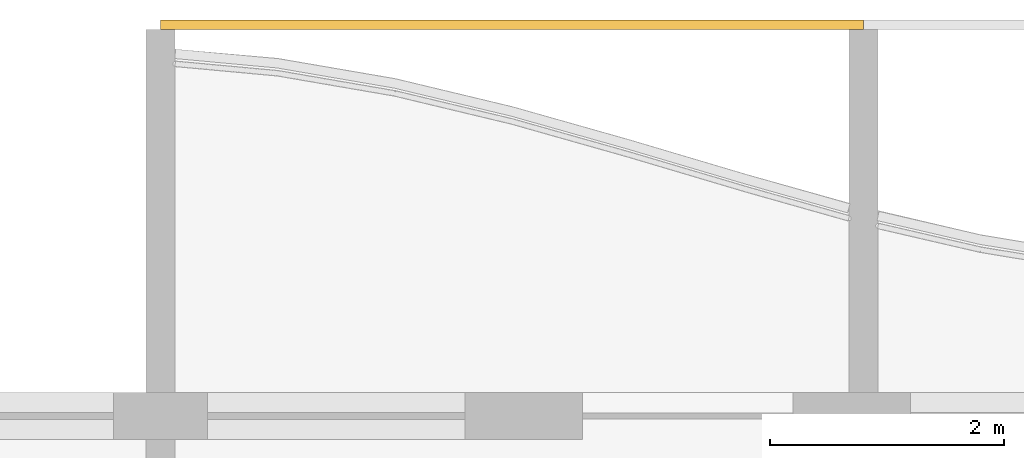
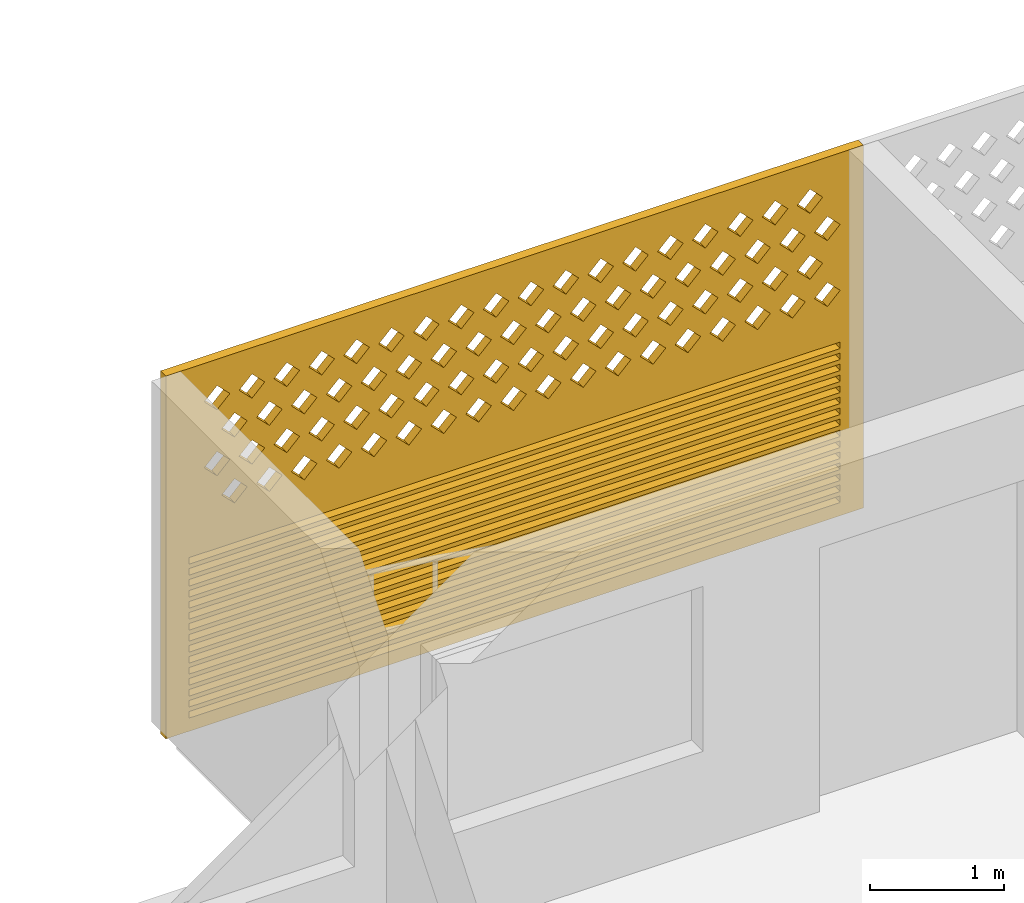
# One storey, part 22 of 26: 1 covering.
"""IFC4 building model written with IfcOpenShell, lengths in metres."""

from ifc_helpers import new_model, si_unit, direction, frame, origin, place, context, subcontext, project, spatial, polyline, outline, extrude, source, transform, mapped, material, material_profile, profile_set, type_object, element, save


model = new_model("IFC4")

# Units and contexts
model_context = context("Model", 3, precision=1e-05, world=origin(), true_north=direction((0.0, 1.0)))
body_context = subcontext(model_context, "Body", "Model", "MODEL_VIEW")
ifc_project = project(units=[si_unit("LENGTHUNIT", "METRE"), si_unit("AREAUNIT", "SQUARE_METRE"), si_unit("VOLUMEUNIT", "CUBIC_METRE"), si_unit("PLANEANGLEUNIT", "RADIAN"), si_unit("MASSUNIT", "GRAM", prefix="KILO")], contexts=[model_context])

# Site, building, storey
site_placement = place(None, origin())
site = spatial("IfcSite", under=ifc_project, at=site_placement, CompositionType="ELEMENT")
building_placement = place(site_placement, origin())
building = spatial("IfcBuilding", under=site, at=building_placement, Name="Poui Terraces", CompositionType="ELEMENT")
storey_placement = place(building_placement, frame((0.0, 0.0, 224.699951171875)))
storey = spatial("IfcBuildingStorey", under=building, at=storey_placement, Name="L62", CompositionType="ELEMENT", Elevation=224.699951171875)

# Covering
ifc_material = material(Name="Terracotta screen", Category="masonry")
ifc_material_profile = material_profile(ifc_material, outline(polyline([(-3.0, -1.64990234375), (3.0, -1.64990234375), (3.0, 1.64990234375), (-3.0, 1.64990234375), (-3.0, -1.64990234375)]), holes=[polyline([(-2.800048828125, 0.39990234375), (-2.68994140625, 0.2900390625), (-2.580078125, 0.39990234375), (-2.68994140625, 0.510009765625), (-2.800048828125, 0.39990234375)]), polyline([(-2.5, 0.39990234375), (-2.389892578125, 0.2900390625), (-2.280029296875, 0.39990234375), (-2.389892578125, 0.510009765625), (-2.5, 0.39990234375)]), polyline([(-2.199951171875, 0.39990234375), (-2.090087890625, 0.2900390625), (-1.97998046875, 0.39990234375), (-2.090087890625, 0.510009765625), (-2.199951171875, 0.39990234375)]), polyline([(-1.89990234375, 0.39990234375), (-1.7900390625, 0.2900390625), (-1.679931640625, 0.39990234375), (-1.7900390625, 0.510009765625), (-1.89990234375, 0.39990234375)]), polyline([(-1.60009765625, 0.39990234375), (-1.489990234375, 0.2900390625), (-1.3798828125, 0.39990234375), (-1.489990234375, 0.510009765625), (-1.60009765625, 0.39990234375)]), polyline([(-1.300048828125, 0.39990234375), (-1.18994140625, 0.2900390625), (-1.080078125, 0.39990234375), (-1.18994140625, 0.510009765625), (-1.300048828125, 0.39990234375)]), polyline([(-1.0, 0.39990234375), (-0.889892578125, 0.2900390625), (-0.780029296875, 0.39990234375), (-0.889892578125, 0.510009765625), (-1.0, 0.39990234375)]), polyline([(-0.699951171875, 0.39990234375), (-0.590087890625, 0.2900390625), (-0.47998046875, 0.39990234375), (-0.590087890625, 0.510009765625), (-0.699951171875, 0.39990234375)]), polyline([(-0.39990234375, 0.39990234375), (-0.2900390625, 0.2900390625), (-0.179931640625, 0.39990234375), (-0.2900390625, 0.510009765625), (-0.39990234375, 0.39990234375)]), polyline([(-0.10009765625, 0.39990234375), (0.010009765625, 0.2900390625), (0.1201171875, 0.39990234375), (0.010009765625, 0.510009765625), (-0.10009765625, 0.39990234375)]), polyline([(0.199951171875, 0.39990234375), (0.31005859375, 0.2900390625), (0.419921875, 0.39990234375), (0.31005859375, 0.510009765625), (0.199951171875, 0.39990234375)]), polyline([(0.5, 0.39990234375), (0.610107421875, 0.2900390625), (0.719970703125, 0.39990234375), (0.610107421875, 0.510009765625), (0.5, 0.39990234375)]), polyline([(0.800048828125, 0.39990234375), (0.909912109375, 0.2900390625), (1.02001953125, 0.39990234375), (0.909912109375, 0.510009765625), (0.800048828125, 0.39990234375)]), polyline([(1.10009765625, 0.39990234375), (1.2099609375, 0.2900390625), (1.320068359375, 0.39990234375), (1.2099609375, 0.510009765625), (1.10009765625, 0.39990234375)]), polyline([(1.39990234375, 0.39990234375), (1.510009765625, 0.2900390625), (1.6201171875, 0.39990234375), (1.510009765625, 0.510009765625), (1.39990234375, 0.39990234375)]), polyline([(1.699951171875, 0.39990234375), (1.81005859375, 0.2900390625), (1.919921875, 0.39990234375), (1.81005859375, 0.510009765625), (1.699951171875, 0.39990234375)]), polyline([(2.0, 0.39990234375), (2.110107421875, 0.2900390625), (2.219970703125, 0.39990234375), (2.110107421875, 0.510009765625), (2.0, 0.39990234375)]), polyline([(2.300048828125, 0.39990234375), (2.409912109375, 0.2900390625), (2.52001953125, 0.39990234375), (2.409912109375, 0.510009765625), (2.300048828125, 0.39990234375)]), polyline([(-2.64990234375, 0.699951171875), (-2.5400390625, 0.590087890625), (-2.429931640625, 0.699951171875), (-2.5400390625, 0.81005859375), (-2.64990234375, 0.699951171875)]), polyline([(-2.35009765625, 0.699951171875), (-2.239990234375, 0.590087890625), (-2.1298828125, 0.699951171875), (-2.239990234375, 0.81005859375), (-2.35009765625, 0.699951171875)]), polyline([(-2.050048828125, 0.699951171875), (-1.93994140625, 0.590087890625), (-1.830078125, 0.699951171875), (-1.93994140625, 0.81005859375), (-2.050048828125, 0.699951171875)]), polyline([(-1.75, 0.699951171875), (-1.639892578125, 0.590087890625), (-1.530029296875, 0.699951171875), (-1.639892578125, 0.81005859375), (-1.75, 0.699951171875)]), polyline([(-1.449951171875, 0.699951171875), (-1.340087890625, 0.590087890625), (-1.22998046875, 0.699951171875), (-1.340087890625, 0.81005859375), (-1.449951171875, 0.699951171875)]), polyline([(-1.14990234375, 0.699951171875), (-1.0400390625, 0.590087890625), (-0.929931640625, 0.699951171875), (-1.0400390625, 0.81005859375), (-1.14990234375, 0.699951171875)]), polyline([(-0.85009765625, 0.699951171875), (-0.739990234375, 0.590087890625), (-0.6298828125, 0.699951171875), (-0.739990234375, 0.81005859375), (-0.85009765625, 0.699951171875)]), polyline([(-0.550048828125, 0.699951171875), (-0.43994140625, 0.590087890625), (-0.330078125, 0.699951171875), (-0.43994140625, 0.81005859375), (-0.550048828125, 0.699951171875)]), polyline([(-0.25, 0.699951171875), (-0.139892578125, 0.590087890625), (-0.030029296875, 0.699951171875), (-0.139892578125, 0.81005859375), (-0.25, 0.699951171875)]), polyline([(0.050048828125, 0.699951171875), (0.159912109375, 0.590087890625), (0.27001953125, 0.699951171875), (0.159912109375, 0.81005859375), (0.050048828125, 0.699951171875)]), polyline([(0.35009765625, 0.699951171875), (0.4599609375, 0.590087890625), (0.570068359375, 0.699951171875), (0.4599609375, 0.81005859375), (0.35009765625, 0.699951171875)]), polyline([(0.64990234375, 0.699951171875), (0.760009765625, 0.590087890625), (0.8701171875, 0.699951171875), (0.760009765625, 0.81005859375), (0.64990234375, 0.699951171875)]), polyline([(0.949951171875, 0.699951171875), (1.06005859375, 0.590087890625), (1.169921875, 0.699951171875), (1.06005859375, 0.81005859375), (0.949951171875, 0.699951171875)]), polyline([(1.25, 0.699951171875), (1.360107421875, 0.590087890625), (1.469970703125, 0.699951171875), (1.360107421875, 0.81005859375), (1.25, 0.699951171875)]), polyline([(1.550048828125, 0.699951171875), (1.659912109375, 0.590087890625), (1.77001953125, 0.699951171875), (1.659912109375, 0.81005859375), (1.550048828125, 0.699951171875)]), polyline([(1.85009765625, 0.699951171875), (1.9599609375, 0.590087890625), (2.070068359375, 0.699951171875), (1.9599609375, 0.81005859375), (1.85009765625, 0.699951171875)]), polyline([(2.14990234375, 0.699951171875), (2.260009765625, 0.590087890625), (2.3701171875, 0.699951171875), (2.260009765625, 0.81005859375), (2.14990234375, 0.699951171875)]), polyline([(2.449951171875, 0.699951171875), (2.56005859375, 0.590087890625), (2.669921875, 0.699951171875), (2.56005859375, 0.81005859375), (2.449951171875, 0.699951171875)]), polyline([(-2.800048828125, 1.0), (-2.68994140625, 0.889892578125), (-2.580078125, 1.0), (-2.68994140625, 1.110107421875), (-2.800048828125, 1.0)]), polyline([(-2.5, 1.0), (-2.389892578125, 0.889892578125), (-2.280029296875, 1.0), (-2.389892578125, 1.110107421875), (-2.5, 1.0)]), polyline([(-2.199951171875, 1.0), (-2.090087890625, 0.889892578125), (-1.97998046875, 1.0), (-2.090087890625, 1.110107421875), (-2.199951171875, 1.0)]), polyline([(-1.89990234375, 1.0), (-1.7900390625, 0.889892578125), (-1.679931640625, 1.0), (-1.7900390625, 1.110107421875), (-1.89990234375, 1.0)]), polyline([(-1.60009765625, 1.0), (-1.489990234375, 0.889892578125), (-1.3798828125, 1.0), (-1.489990234375, 1.110107421875), (-1.60009765625, 1.0)]), polyline([(-1.300048828125, 1.0), (-1.18994140625, 0.889892578125), (-1.080078125, 1.0), (-1.18994140625, 1.110107421875), (-1.300048828125, 1.0)]), polyline([(-1.0, 1.0), (-0.889892578125, 0.889892578125), (-0.780029296875, 1.0), (-0.889892578125, 1.110107421875), (-1.0, 1.0)]), polyline([(-0.699951171875, 1.0), (-0.590087890625, 0.889892578125), (-0.47998046875, 1.0), (-0.590087890625, 1.110107421875), (-0.699951171875, 1.0)]), polyline([(-0.39990234375, 1.0), (-0.2900390625, 0.889892578125), (-0.179931640625, 1.0), (-0.2900390625, 1.110107421875), (-0.39990234375, 1.0)]), polyline([(-0.10009765625, 1.0), (0.010009765625, 0.889892578125), (0.1201171875, 1.0), (0.010009765625, 1.110107421875), (-0.10009765625, 1.0)]), polyline([(0.199951171875, 1.0), (0.31005859375, 0.889892578125), (0.419921875, 1.0), (0.31005859375, 1.110107421875), (0.199951171875, 1.0)]), polyline([(0.5, 1.0), (0.610107421875, 0.889892578125), (0.719970703125, 1.0), (0.610107421875, 1.110107421875), (0.5, 1.0)]), polyline([(0.800048828125, 1.0), (0.909912109375, 0.889892578125), (1.02001953125, 1.0), (0.909912109375, 1.110107421875), (0.800048828125, 1.0)]), polyline([(1.10009765625, 1.0), (1.2099609375, 0.889892578125), (1.320068359375, 1.0), (1.2099609375, 1.110107421875), (1.10009765625, 1.0)]), polyline([(1.39990234375, 1.0), (1.510009765625, 0.889892578125), (1.6201171875, 1.0), (1.510009765625, 1.110107421875), (1.39990234375, 1.0)]), polyline([(1.699951171875, 1.0), (1.81005859375, 0.889892578125), (1.919921875, 1.0), (1.81005859375, 1.110107421875), (1.699951171875, 1.0)]), polyline([(2.0, 1.0), (2.110107421875, 0.889892578125), (2.219970703125, 1.0), (2.110107421875, 1.110107421875), (2.0, 1.0)]), polyline([(2.300048828125, 1.0), (2.409912109375, 0.889892578125), (2.52001953125, 1.0), (2.409912109375, 1.110107421875), (2.300048828125, 1.0)]), polyline([(-2.64990234375, 1.300048828125), (-2.5400390625, 1.18994140625), (-2.429931640625, 1.300048828125), (-2.5400390625, 1.409912109375), (-2.64990234375, 1.300048828125)]), polyline([(-2.35009765625, 1.300048828125), (-2.239990234375, 1.18994140625), (-2.1298828125, 1.300048828125), (-2.239990234375, 1.409912109375), (-2.35009765625, 1.300048828125)]), polyline([(-2.050048828125, 1.300048828125), (-1.93994140625, 1.18994140625), (-1.830078125, 1.300048828125), (-1.93994140625, 1.409912109375), (-2.050048828125, 1.300048828125)]), polyline([(-1.75, 1.300048828125), (-1.639892578125, 1.18994140625), (-1.530029296875, 1.300048828125), (-1.639892578125, 1.409912109375), (-1.75, 1.300048828125)]), polyline([(-1.449951171875, 1.300048828125), (-1.340087890625, 1.18994140625), (-1.22998046875, 1.300048828125), (-1.340087890625, 1.409912109375), (-1.449951171875, 1.300048828125)]), polyline([(-1.14990234375, 1.300048828125), (-1.0400390625, 1.18994140625), (-0.929931640625, 1.300048828125), (-1.0400390625, 1.409912109375), (-1.14990234375, 1.300048828125)]), polyline([(-0.85009765625, 1.300048828125), (-0.739990234375, 1.18994140625), (-0.6298828125, 1.300048828125), (-0.739990234375, 1.409912109375), (-0.85009765625, 1.300048828125)]), polyline([(-0.550048828125, 1.300048828125), (-0.43994140625, 1.18994140625), (-0.330078125, 1.300048828125), (-0.43994140625, 1.409912109375), (-0.550048828125, 1.300048828125)]), polyline([(-0.25, 1.300048828125), (-0.139892578125, 1.18994140625), (-0.030029296875, 1.300048828125), (-0.139892578125, 1.409912109375), (-0.25, 1.300048828125)]), polyline([(0.050048828125, 1.300048828125), (0.159912109375, 1.18994140625), (0.27001953125, 1.300048828125), (0.159912109375, 1.409912109375), (0.050048828125, 1.300048828125)]), polyline([(0.35009765625, 1.300048828125), (0.4599609375, 1.18994140625), (0.570068359375, 1.300048828125), (0.4599609375, 1.409912109375), (0.35009765625, 1.300048828125)]), polyline([(0.64990234375, 1.300048828125), (0.760009765625, 1.18994140625), (0.8701171875, 1.300048828125), (0.760009765625, 1.409912109375), (0.64990234375, 1.300048828125)]), polyline([(0.949951171875, 1.300048828125), (1.06005859375, 1.18994140625), (1.169921875, 1.300048828125), (1.06005859375, 1.409912109375), (0.949951171875, 1.300048828125)]), polyline([(1.25, 1.300048828125), (1.360107421875, 1.18994140625), (1.469970703125, 1.300048828125), (1.360107421875, 1.409912109375), (1.25, 1.300048828125)]), polyline([(1.550048828125, 1.300048828125), (1.659912109375, 1.18994140625), (1.77001953125, 1.300048828125), (1.659912109375, 1.409912109375), (1.550048828125, 1.300048828125)]), polyline([(1.85009765625, 1.300048828125), (1.9599609375, 1.18994140625), (2.070068359375, 1.300048828125), (1.9599609375, 1.409912109375), (1.85009765625, 1.300048828125)]), polyline([(2.14990234375, 1.300048828125), (2.260009765625, 1.18994140625), (2.3701171875, 1.300048828125), (2.260009765625, 1.409912109375), (2.14990234375, 1.300048828125)]), polyline([(2.449951171875, 1.300048828125), (2.56005859375, 1.18994140625), (2.669921875, 1.300048828125), (2.56005859375, 1.409912109375), (2.449951171875, 1.300048828125)]), polyline([(-2.800048828125, -1.530029296875), (2.800048828125, -1.530029296875), (2.800048828125, -1.469970703125), (-2.800048828125, -1.469970703125), (-2.800048828125, -1.530029296875)]), polyline([(-2.800048828125, -1.429931640625), (2.800048828125, -1.429931640625), (2.800048828125, -1.3701171875), (-2.800048828125, -1.3701171875), (-2.800048828125, -1.429931640625)]), polyline([(-2.800048828125, -1.330078125), (2.800048828125, -1.330078125), (2.800048828125, -1.27001953125), (-2.800048828125, -1.27001953125), (-2.800048828125, -1.330078125)]), polyline([(-2.800048828125, -1.22998046875), (2.800048828125, -1.22998046875), (2.800048828125, -1.169921875), (-2.800048828125, -1.169921875), (-2.800048828125, -1.22998046875)]), polyline([(-2.800048828125, -1.1298828125), (2.800048828125, -1.1298828125), (2.800048828125, -1.070068359375), (-2.800048828125, -1.070068359375), (-2.800048828125, -1.1298828125)]), polyline([(-2.800048828125, -1.030029296875), (2.800048828125, -1.030029296875), (2.800048828125, -0.969970703125), (-2.800048828125, -0.969970703125), (-2.800048828125, -1.030029296875)]), polyline([(-2.800048828125, -0.929931640625), (2.800048828125, -0.929931640625), (2.800048828125, -0.8701171875), (-2.800048828125, -0.8701171875), (-2.800048828125, -0.929931640625)]), polyline([(-2.800048828125, -0.830078125), (2.800048828125, -0.830078125), (2.800048828125, -0.77001953125), (-2.800048828125, -0.77001953125), (-2.800048828125, -0.830078125)]), polyline([(-2.800048828125, -0.72998046875), (2.800048828125, -0.72998046875), (2.800048828125, -0.669921875), (-2.800048828125, -0.669921875), (-2.800048828125, -0.72998046875)]), polyline([(-2.800048828125, -0.6298828125), (2.800048828125, -0.6298828125), (2.800048828125, -0.570068359375), (-2.800048828125, -0.570068359375), (-2.800048828125, -0.6298828125)]), polyline([(-2.800048828125, -0.530029296875), (2.800048828125, -0.530029296875), (2.800048828125, -0.469970703125), (-2.800048828125, -0.469970703125), (-2.800048828125, -0.530029296875)]), polyline([(-2.800048828125, -0.429931640625), (2.800048828125, -0.429931640625), (2.800048828125, -0.3701171875), (-2.800048828125, -0.3701171875), (-2.800048828125, -0.429931640625)]), polyline([(-2.800048828125, -0.330078125), (2.800048828125, -0.330078125), (2.800048828125, -0.27001953125), (-2.800048828125, -0.27001953125), (-2.800048828125, -0.330078125)]), polyline([(-2.800048828125, -0.22998046875), (2.800048828125, -0.22998046875), (2.800048828125, -0.169921875), (-2.800048828125, -0.169921875), (-2.800048828125, -0.22998046875)]), polyline([(-2.800048828125, -0.1298828125), (2.800048828125, -0.1298828125), (2.800048828125, -0.070068359375), (-2.800048828125, -0.070068359375), (-2.800048828125, -0.1298828125)])]), Name="TERRACOTTA SCREEN AND JALOUSIE LOUVRE 6000X3300")
ifc_profile_set = profile_set([ifc_material_profile], Name="Terracotta screen")
covering_type = type_object("IfcCoveringType", Name="TERRACOTTA SCREEN AND JALOUSIE LOUVRE 6000X3300", PredefinedType="CLADDING", material=ifc_profile_set)
shared_shape = source(origin(), body_context, "Body", "SweptSolid", [
    extrude(outline(polyline([(-3.0, -1.64990234375), (3.0, -1.64990234375), (3.0, 1.64990234375), (-3.0, 1.64990234375), (-3.0, -1.64990234375)]), holes=[polyline([(-2.800048828125, 0.39990234375), (-2.68994140625, 0.2900390625), (-2.580078125, 0.39990234375), (-2.68994140625, 0.510009765625), (-2.800048828125, 0.39990234375)]), polyline([(-2.5, 0.39990234375), (-2.389892578125, 0.2900390625), (-2.280029296875, 0.39990234375), (-2.389892578125, 0.510009765625), (-2.5, 0.39990234375)]), polyline([(-2.199951171875, 0.39990234375), (-2.090087890625, 0.2900390625), (-1.97998046875, 0.39990234375), (-2.090087890625, 0.510009765625), (-2.199951171875, 0.39990234375)]), polyline([(-1.89990234375, 0.39990234375), (-1.7900390625, 0.2900390625), (-1.679931640625, 0.39990234375), (-1.7900390625, 0.510009765625), (-1.89990234375, 0.39990234375)]), polyline([(-1.60009765625, 0.39990234375), (-1.489990234375, 0.2900390625), (-1.3798828125, 0.39990234375), (-1.489990234375, 0.510009765625), (-1.60009765625, 0.39990234375)]), polyline([(-1.300048828125, 0.39990234375), (-1.18994140625, 0.2900390625), (-1.080078125, 0.39990234375), (-1.18994140625, 0.510009765625), (-1.300048828125, 0.39990234375)]), polyline([(-1.0, 0.39990234375), (-0.889892578125, 0.2900390625), (-0.780029296875, 0.39990234375), (-0.889892578125, 0.510009765625), (-1.0, 0.39990234375)]), polyline([(-0.699951171875, 0.39990234375), (-0.590087890625, 0.2900390625), (-0.47998046875, 0.39990234375), (-0.590087890625, 0.510009765625), (-0.699951171875, 0.39990234375)]), polyline([(-0.39990234375, 0.39990234375), (-0.2900390625, 0.2900390625), (-0.179931640625, 0.39990234375), (-0.2900390625, 0.510009765625), (-0.39990234375, 0.39990234375)]), polyline([(-0.10009765625, 0.39990234375), (0.010009765625, 0.2900390625), (0.1201171875, 0.39990234375), (0.010009765625, 0.510009765625), (-0.10009765625, 0.39990234375)]), polyline([(0.199951171875, 0.39990234375), (0.31005859375, 0.2900390625), (0.419921875, 0.39990234375), (0.31005859375, 0.510009765625), (0.199951171875, 0.39990234375)]), polyline([(0.5, 0.39990234375), (0.610107421875, 0.2900390625), (0.719970703125, 0.39990234375), (0.610107421875, 0.510009765625), (0.5, 0.39990234375)]), polyline([(0.800048828125, 0.39990234375), (0.909912109375, 0.2900390625), (1.02001953125, 0.39990234375), (0.909912109375, 0.510009765625), (0.800048828125, 0.39990234375)]), polyline([(1.10009765625, 0.39990234375), (1.2099609375, 0.2900390625), (1.320068359375, 0.39990234375), (1.2099609375, 0.510009765625), (1.10009765625, 0.39990234375)]), polyline([(1.39990234375, 0.39990234375), (1.510009765625, 0.2900390625), (1.6201171875, 0.39990234375), (1.510009765625, 0.510009765625), (1.39990234375, 0.39990234375)]), polyline([(1.699951171875, 0.39990234375), (1.81005859375, 0.2900390625), (1.919921875, 0.39990234375), (1.81005859375, 0.510009765625), (1.699951171875, 0.39990234375)]), polyline([(2.0, 0.39990234375), (2.110107421875, 0.2900390625), (2.219970703125, 0.39990234375), (2.110107421875, 0.510009765625), (2.0, 0.39990234375)]), polyline([(2.300048828125, 0.39990234375), (2.409912109375, 0.2900390625), (2.52001953125, 0.39990234375), (2.409912109375, 0.510009765625), (2.300048828125, 0.39990234375)]), polyline([(-2.64990234375, 0.699951171875), (-2.5400390625, 0.590087890625), (-2.429931640625, 0.699951171875), (-2.5400390625, 0.81005859375), (-2.64990234375, 0.699951171875)]), polyline([(-2.35009765625, 0.699951171875), (-2.239990234375, 0.590087890625), (-2.1298828125, 0.699951171875), (-2.239990234375, 0.81005859375), (-2.35009765625, 0.699951171875)]), polyline([(-2.050048828125, 0.699951171875), (-1.93994140625, 0.590087890625), (-1.830078125, 0.699951171875), (-1.93994140625, 0.81005859375), (-2.050048828125, 0.699951171875)]), polyline([(-1.75, 0.699951171875), (-1.639892578125, 0.590087890625), (-1.530029296875, 0.699951171875), (-1.639892578125, 0.81005859375), (-1.75, 0.699951171875)]), polyline([(-1.449951171875, 0.699951171875), (-1.340087890625, 0.590087890625), (-1.22998046875, 0.699951171875), (-1.340087890625, 0.81005859375), (-1.449951171875, 0.699951171875)]), polyline([(-1.14990234375, 0.699951171875), (-1.0400390625, 0.590087890625), (-0.929931640625, 0.699951171875), (-1.0400390625, 0.81005859375), (-1.14990234375, 0.699951171875)]), polyline([(-0.85009765625, 0.699951171875), (-0.739990234375, 0.590087890625), (-0.6298828125, 0.699951171875), (-0.739990234375, 0.81005859375), (-0.85009765625, 0.699951171875)]), polyline([(-0.550048828125, 0.699951171875), (-0.43994140625, 0.590087890625), (-0.330078125, 0.699951171875), (-0.43994140625, 0.81005859375), (-0.550048828125, 0.699951171875)]), polyline([(-0.25, 0.699951171875), (-0.139892578125, 0.590087890625), (-0.030029296875, 0.699951171875), (-0.139892578125, 0.81005859375), (-0.25, 0.699951171875)]), polyline([(0.050048828125, 0.699951171875), (0.159912109375, 0.590087890625), (0.27001953125, 0.699951171875), (0.159912109375, 0.81005859375), (0.050048828125, 0.699951171875)]), polyline([(0.35009765625, 0.699951171875), (0.4599609375, 0.590087890625), (0.570068359375, 0.699951171875), (0.4599609375, 0.81005859375), (0.35009765625, 0.699951171875)]), polyline([(0.64990234375, 0.699951171875), (0.760009765625, 0.590087890625), (0.8701171875, 0.699951171875), (0.760009765625, 0.81005859375), (0.64990234375, 0.699951171875)]), polyline([(0.949951171875, 0.699951171875), (1.06005859375, 0.590087890625), (1.169921875, 0.699951171875), (1.06005859375, 0.81005859375), (0.949951171875, 0.699951171875)]), polyline([(1.25, 0.699951171875), (1.360107421875, 0.590087890625), (1.469970703125, 0.699951171875), (1.360107421875, 0.81005859375), (1.25, 0.699951171875)]), polyline([(1.550048828125, 0.699951171875), (1.659912109375, 0.590087890625), (1.77001953125, 0.699951171875), (1.659912109375, 0.81005859375), (1.550048828125, 0.699951171875)]), polyline([(1.85009765625, 0.699951171875), (1.9599609375, 0.590087890625), (2.070068359375, 0.699951171875), (1.9599609375, 0.81005859375), (1.85009765625, 0.699951171875)]), polyline([(2.14990234375, 0.699951171875), (2.260009765625, 0.590087890625), (2.3701171875, 0.699951171875), (2.260009765625, 0.81005859375), (2.14990234375, 0.699951171875)]), polyline([(2.449951171875, 0.699951171875), (2.56005859375, 0.590087890625), (2.669921875, 0.699951171875), (2.56005859375, 0.81005859375), (2.449951171875, 0.699951171875)]), polyline([(-2.800048828125, 1.0), (-2.68994140625, 0.889892578125), (-2.580078125, 1.0), (-2.68994140625, 1.110107421875), (-2.800048828125, 1.0)]), polyline([(-2.5, 1.0), (-2.389892578125, 0.889892578125), (-2.280029296875, 1.0), (-2.389892578125, 1.110107421875), (-2.5, 1.0)]), polyline([(-2.199951171875, 1.0), (-2.090087890625, 0.889892578125), (-1.97998046875, 1.0), (-2.090087890625, 1.110107421875), (-2.199951171875, 1.0)]), polyline([(-1.89990234375, 1.0), (-1.7900390625, 0.889892578125), (-1.679931640625, 1.0), (-1.7900390625, 1.110107421875), (-1.89990234375, 1.0)]), polyline([(-1.60009765625, 1.0), (-1.489990234375, 0.889892578125), (-1.3798828125, 1.0), (-1.489990234375, 1.110107421875), (-1.60009765625, 1.0)]), polyline([(-1.300048828125, 1.0), (-1.18994140625, 0.889892578125), (-1.080078125, 1.0), (-1.18994140625, 1.110107421875), (-1.300048828125, 1.0)]), polyline([(-1.0, 1.0), (-0.889892578125, 0.889892578125), (-0.780029296875, 1.0), (-0.889892578125, 1.110107421875), (-1.0, 1.0)]), polyline([(-0.699951171875, 1.0), (-0.590087890625, 0.889892578125), (-0.47998046875, 1.0), (-0.590087890625, 1.110107421875), (-0.699951171875, 1.0)]), polyline([(-0.39990234375, 1.0), (-0.2900390625, 0.889892578125), (-0.179931640625, 1.0), (-0.2900390625, 1.110107421875), (-0.39990234375, 1.0)]), polyline([(-0.10009765625, 1.0), (0.010009765625, 0.889892578125), (0.1201171875, 1.0), (0.010009765625, 1.110107421875), (-0.10009765625, 1.0)]), polyline([(0.199951171875, 1.0), (0.31005859375, 0.889892578125), (0.419921875, 1.0), (0.31005859375, 1.110107421875), (0.199951171875, 1.0)]), polyline([(0.5, 1.0), (0.610107421875, 0.889892578125), (0.719970703125, 1.0), (0.610107421875, 1.110107421875), (0.5, 1.0)]), polyline([(0.800048828125, 1.0), (0.909912109375, 0.889892578125), (1.02001953125, 1.0), (0.909912109375, 1.110107421875), (0.800048828125, 1.0)]), polyline([(1.10009765625, 1.0), (1.2099609375, 0.889892578125), (1.320068359375, 1.0), (1.2099609375, 1.110107421875), (1.10009765625, 1.0)]), polyline([(1.39990234375, 1.0), (1.510009765625, 0.889892578125), (1.6201171875, 1.0), (1.510009765625, 1.110107421875), (1.39990234375, 1.0)]), polyline([(1.699951171875, 1.0), (1.81005859375, 0.889892578125), (1.919921875, 1.0), (1.81005859375, 1.110107421875), (1.699951171875, 1.0)]), polyline([(2.0, 1.0), (2.110107421875, 0.889892578125), (2.219970703125, 1.0), (2.110107421875, 1.110107421875), (2.0, 1.0)]), polyline([(2.300048828125, 1.0), (2.409912109375, 0.889892578125), (2.52001953125, 1.0), (2.409912109375, 1.110107421875), (2.300048828125, 1.0)]), polyline([(-2.64990234375, 1.300048828125), (-2.5400390625, 1.18994140625), (-2.429931640625, 1.300048828125), (-2.5400390625, 1.409912109375), (-2.64990234375, 1.300048828125)]), polyline([(-2.35009765625, 1.300048828125), (-2.239990234375, 1.18994140625), (-2.1298828125, 1.300048828125), (-2.239990234375, 1.409912109375), (-2.35009765625, 1.300048828125)]), polyline([(-2.050048828125, 1.300048828125), (-1.93994140625, 1.18994140625), (-1.830078125, 1.300048828125), (-1.93994140625, 1.409912109375), (-2.050048828125, 1.300048828125)]), polyline([(-1.75, 1.300048828125), (-1.639892578125, 1.18994140625), (-1.530029296875, 1.300048828125), (-1.639892578125, 1.409912109375), (-1.75, 1.300048828125)]), polyline([(-1.449951171875, 1.300048828125), (-1.340087890625, 1.18994140625), (-1.22998046875, 1.300048828125), (-1.340087890625, 1.409912109375), (-1.449951171875, 1.300048828125)]), polyline([(-1.14990234375, 1.300048828125), (-1.0400390625, 1.18994140625), (-0.929931640625, 1.300048828125), (-1.0400390625, 1.409912109375), (-1.14990234375, 1.300048828125)]), polyline([(-0.85009765625, 1.300048828125), (-0.739990234375, 1.18994140625), (-0.6298828125, 1.300048828125), (-0.739990234375, 1.409912109375), (-0.85009765625, 1.300048828125)]), polyline([(-0.550048828125, 1.300048828125), (-0.43994140625, 1.18994140625), (-0.330078125, 1.300048828125), (-0.43994140625, 1.409912109375), (-0.550048828125, 1.300048828125)]), polyline([(-0.25, 1.300048828125), (-0.139892578125, 1.18994140625), (-0.030029296875, 1.300048828125), (-0.139892578125, 1.409912109375), (-0.25, 1.300048828125)]), polyline([(0.050048828125, 1.300048828125), (0.159912109375, 1.18994140625), (0.27001953125, 1.300048828125), (0.159912109375, 1.409912109375), (0.050048828125, 1.300048828125)]), polyline([(0.35009765625, 1.300048828125), (0.4599609375, 1.18994140625), (0.570068359375, 1.300048828125), (0.4599609375, 1.409912109375), (0.35009765625, 1.300048828125)]), polyline([(0.64990234375, 1.300048828125), (0.760009765625, 1.18994140625), (0.8701171875, 1.300048828125), (0.760009765625, 1.409912109375), (0.64990234375, 1.300048828125)]), polyline([(0.949951171875, 1.300048828125), (1.06005859375, 1.18994140625), (1.169921875, 1.300048828125), (1.06005859375, 1.409912109375), (0.949951171875, 1.300048828125)]), polyline([(1.25, 1.300048828125), (1.360107421875, 1.18994140625), (1.469970703125, 1.300048828125), (1.360107421875, 1.409912109375), (1.25, 1.300048828125)]), polyline([(1.550048828125, 1.300048828125), (1.659912109375, 1.18994140625), (1.77001953125, 1.300048828125), (1.659912109375, 1.409912109375), (1.550048828125, 1.300048828125)]), polyline([(1.85009765625, 1.300048828125), (1.9599609375, 1.18994140625), (2.070068359375, 1.300048828125), (1.9599609375, 1.409912109375), (1.85009765625, 1.300048828125)]), polyline([(2.14990234375, 1.300048828125), (2.260009765625, 1.18994140625), (2.3701171875, 1.300048828125), (2.260009765625, 1.409912109375), (2.14990234375, 1.300048828125)]), polyline([(2.449951171875, 1.300048828125), (2.56005859375, 1.18994140625), (2.669921875, 1.300048828125), (2.56005859375, 1.409912109375), (2.449951171875, 1.300048828125)]), polyline([(-2.800048828125, -1.530029296875), (2.800048828125, -1.530029296875), (2.800048828125, -1.469970703125), (-2.800048828125, -1.469970703125), (-2.800048828125, -1.530029296875)]), polyline([(-2.800048828125, -1.429931640625), (2.800048828125, -1.429931640625), (2.800048828125, -1.3701171875), (-2.800048828125, -1.3701171875), (-2.800048828125, -1.429931640625)]), polyline([(-2.800048828125, -1.330078125), (2.800048828125, -1.330078125), (2.800048828125, -1.27001953125), (-2.800048828125, -1.27001953125), (-2.800048828125, -1.330078125)]), polyline([(-2.800048828125, -1.22998046875), (2.800048828125, -1.22998046875), (2.800048828125, -1.169921875), (-2.800048828125, -1.169921875), (-2.800048828125, -1.22998046875)]), polyline([(-2.800048828125, -1.1298828125), (2.800048828125, -1.1298828125), (2.800048828125, -1.070068359375), (-2.800048828125, -1.070068359375), (-2.800048828125, -1.1298828125)]), polyline([(-2.800048828125, -1.030029296875), (2.800048828125, -1.030029296875), (2.800048828125, -0.969970703125), (-2.800048828125, -0.969970703125), (-2.800048828125, -1.030029296875)]), polyline([(-2.800048828125, -0.929931640625), (2.800048828125, -0.929931640625), (2.800048828125, -0.8701171875), (-2.800048828125, -0.8701171875), (-2.800048828125, -0.929931640625)]), polyline([(-2.800048828125, -0.830078125), (2.800048828125, -0.830078125), (2.800048828125, -0.77001953125), (-2.800048828125, -0.77001953125), (-2.800048828125, -0.830078125)]), polyline([(-2.800048828125, -0.72998046875), (2.800048828125, -0.72998046875), (2.800048828125, -0.669921875), (-2.800048828125, -0.669921875), (-2.800048828125, -0.72998046875)]), polyline([(-2.800048828125, -0.6298828125), (2.800048828125, -0.6298828125), (2.800048828125, -0.570068359375), (-2.800048828125, -0.570068359375), (-2.800048828125, -0.6298828125)]), polyline([(-2.800048828125, -0.530029296875), (2.800048828125, -0.530029296875), (2.800048828125, -0.469970703125), (-2.800048828125, -0.469970703125), (-2.800048828125, -0.530029296875)]), polyline([(-2.800048828125, -0.429931640625), (2.800048828125, -0.429931640625), (2.800048828125, -0.3701171875), (-2.800048828125, -0.3701171875), (-2.800048828125, -0.429931640625)]), polyline([(-2.800048828125, -0.330078125), (2.800048828125, -0.330078125), (2.800048828125, -0.27001953125), (-2.800048828125, -0.27001953125), (-2.800048828125, -0.330078125)]), polyline([(-2.800048828125, -0.22998046875), (2.800048828125, -0.22998046875), (2.800048828125, -0.169921875), (-2.800048828125, -0.169921875), (-2.800048828125, -0.22998046875)]), polyline([(-2.800048828125, -0.1298828125), (2.800048828125, -0.1298828125), (2.800048828125, -0.070068359375), (-2.800048828125, -0.070068359375), (-2.800048828125, -0.1298828125)])]), origin(), (0.0, 0.0, 1.0), 0.080078125),
])
covering_placement = place(storey_placement, frame((63.0, 44.5, 1.449951171875), z_axis=(0.0, 1.0, 0.0), x_axis=(-1.0, 0.0, 0.0)))
element("IfcCovering", 1, at=covering_placement, inside=storey, type_object=covering_type, Name="SOLAR SCREEN AND JALOUSIE LOUVRE", PredefinedType="CLADDING", context=body_context, shape_type="MappedRepresentation", body=[
    mapped(shared_shape, transform((0.0, 0.0, 0.0))),
])

save(model, "model.ifc")
